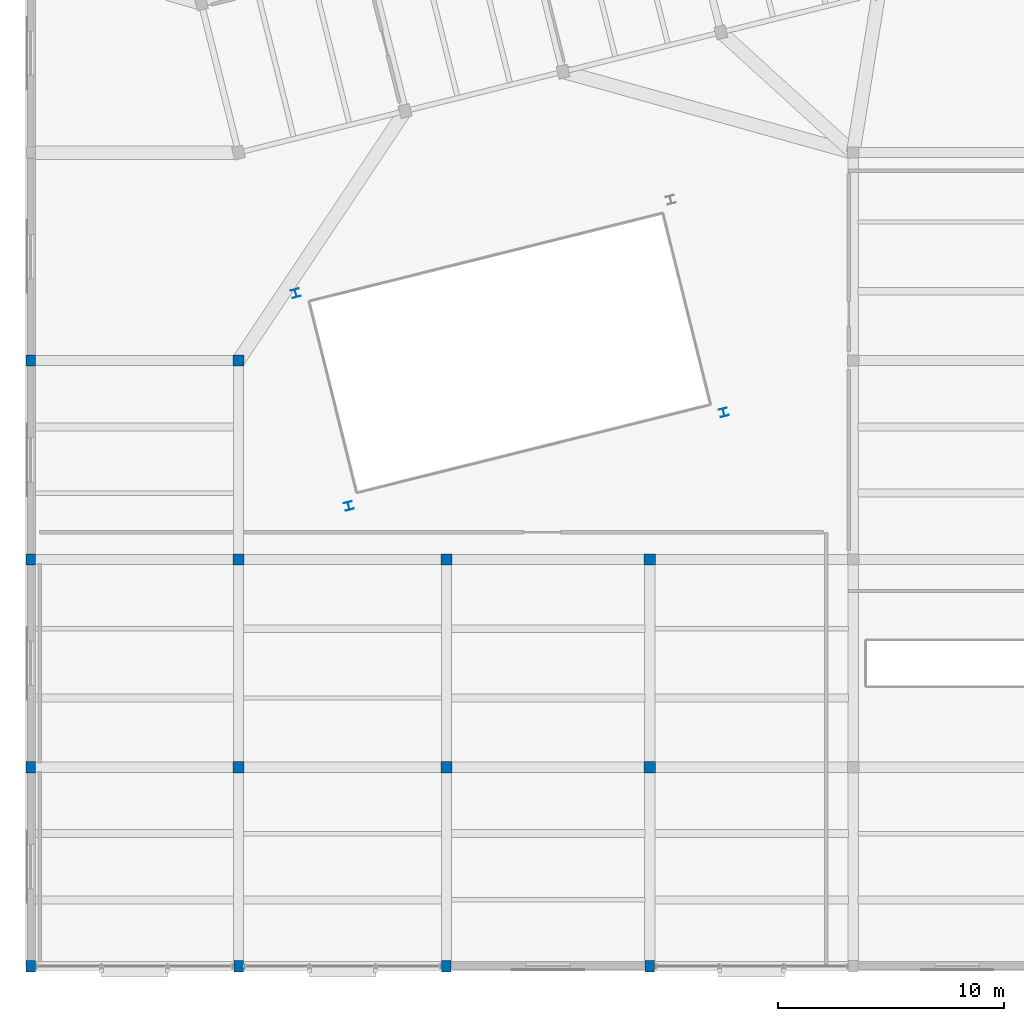
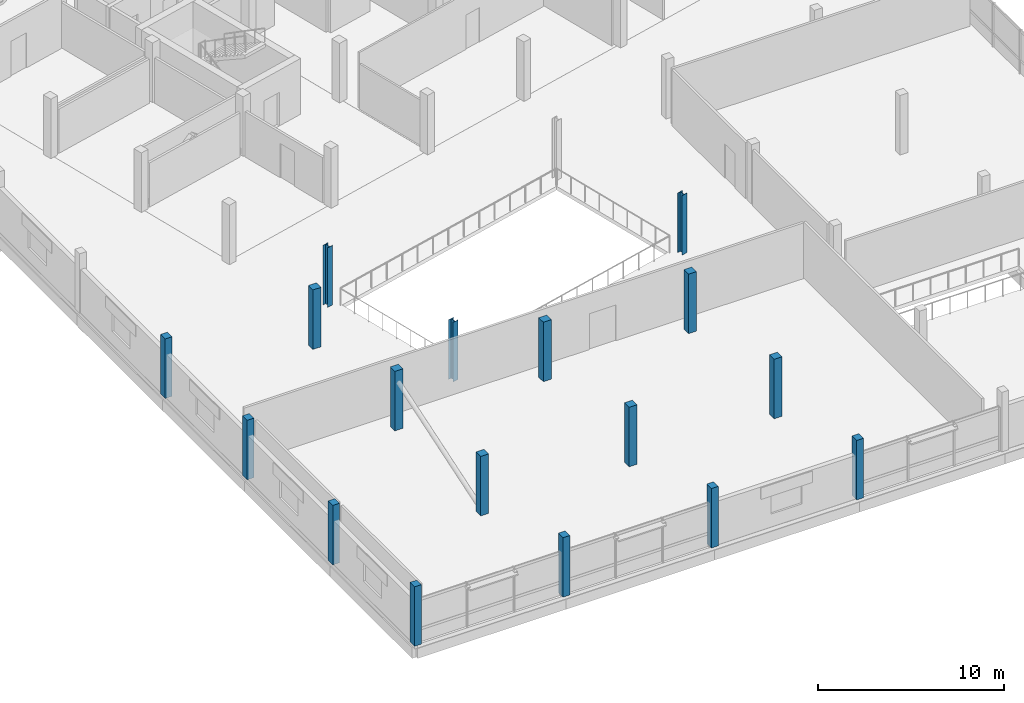
# One storey, part 1 of 62: 17 columns.
"""IFC4 building model written with IfcOpenShell, lengths in metres."""

from ifc_helpers import new_model, si_unit, direction, frame, origin, origin_2d, place, context, subcontext, project, spatial, rectangle, i_section, extrude, material, material_profile, profile_set, type_object, element, save


model = new_model("IFC4")

# Units and contexts
model_context = context("Model", 3, precision=1e-05, world=origin(), true_north=direction((0.0, 1.0)))
body_context = subcontext(model_context, "Body", "Model", "MODEL_VIEW")
ifc_project = project(units=[si_unit("LENGTHUNIT", "METRE"), si_unit("AREAUNIT", "SQUARE_METRE"), si_unit("VOLUMEUNIT", "CUBIC_METRE"), si_unit("PLANEANGLEUNIT", "RADIAN"), si_unit("MASSUNIT", "GRAM", prefix="KILO")], contexts=[model_context])

# Site, building, storey
site_placement = place(None, origin())
site = spatial("IfcSite", under=ifc_project, at=site_placement, CompositionType="ELEMENT")
building_placement = place(site_placement, origin())
building = spatial("IfcBuilding", under=site, at=building_placement, Name="Meriwether Solvik Hall", CompositionType="ELEMENT")
storey_placement = place(building_placement, frame((0.0, 0.0, 14.39990234375)))
storey = spatial("IfcBuildingStorey", under=building, at=storey_placement, Name="L03", CompositionType="ELEMENT", Elevation=14.39990234375)

# Columns
ifc_material_1 = material(Name="Glulam Douglas-Fir L2 GL28c", Category="wood")
ifc_material_profile_1 = material_profile(ifc_material_1, rectangle(XDim=0.419921875, YDim=0.4951171875, at=origin_2d()), Name="GLC-420X495")
ifc_profile_set_1 = profile_set([ifc_material_profile_1], Name="Glulam Douglas-Fir L2 GL28c")
column_type_1 = type_object("IfcColumnType", Name="COL-GL-420X495", PredefinedType="COLUMN", material=ifc_profile_set_1)
for number, where, z_axis, x_axis, name in (
    (1, (59.39990234375, 5.199951171875, 0.0), (0.0, 0.0, 1.0), (1.0, 0.0, 0.0), "Podium Column 7/A (L03)"),
    (2, (59.39990234375, 14.0, 0.0), (0.0, 0.0, 1.0), (1.0, 0.0, 0.0), "Podium Column 7/B (L03)"),
    (3, (59.39990234375, 23.199951171875, 0.0), (0.0, 0.0, 1.0), (1.0, 0.0, 0.0), "Podium Column 7/C (L03)"),
    (4, (59.39990234375, 32.0, 0.0), (0.0, 0.0, 1.0), (1.0, 0.0, 0.0), "Podium Column 7/D (L03)"),
    (5, (68.60009765625, 5.199951171875, 0.0), (0.0, 0.0, 1.0), (1.0, 0.0, 0.0), "Podium Column 8/A (L03)"),
    (6, (77.800048828125, 5.199951171875, 0.0), (0.0, 0.0, 1.0), (1.0, 0.0, 0.0), "Podium Column 9/A (L03)"),
    (7, (86.800048828125, 5.199951171875, 0.0), (0.0, 0.0, 1.0), (1.0, 0.0, 0.0), "Podium Column 10/A (L03)"),
):
    element("IfcColumn", number, at=place(storey_placement, frame(where, z_axis=z_axis, x_axis=x_axis)), inside=storey, type_object=column_type_1, Name=name, PredefinedType="COLUMN", context=body_context, shape_type="SweptSolid", body=[
        extrude(rectangle(XDim=0.419921875, YDim=0.4951171875, at=origin_2d()), origin(), (0.0, 0.0, 1.0), 3.900146484375),
    ])
ifc_material_2 = material(Name="Glulam Douglas-Fir L2 GL28c", Category="wood")
ifc_material_profile_2 = material_profile(ifc_material_2, rectangle(XDim=0.4951171875, YDim=0.4951171875, at=origin_2d()), Name="GLC-495X495")
ifc_profile_set_2 = profile_set([ifc_material_profile_2], Name="Glulam Douglas-Fir L2 GL28c")
column_type_2 = type_object("IfcColumnType", Name="COL-GL-495X495", PredefinedType="COLUMN", material=ifc_profile_set_2)
for number, where, z_axis, x_axis, name in (
    (8, (68.60009765625, 14.0, 0.0), (0.0, 0.0, 1.0), (1.0, 0.0, 0.0), "Podium Column 8/B (L03)"),
    (9, (68.60009765625, 23.199951171875, 0.0), (0.0, 0.0, 1.0), (1.0, 0.0, 0.0), "Podium Column 8/C (L03)"),
    (10, (68.60009765625, 32.0, 0.0), (0.0, 0.0, 1.0), (1.0, 0.0, 0.0), "Podium Column 8/D (L03)"),
    (11, (77.800048828125, 14.0, 0.0), (0.0, 0.0, 1.0), (1.0, 0.0, 0.0), "Podium Column 9/B (L03)"),
    (12, (77.800048828125, 23.199951171875, 0.0), (0.0, 0.0, 1.0), (1.0, 0.0, 0.0), "Podium Column 9/C (L03)"),
    (13, (86.800048828125, 14.0, 0.0), (0.0, 0.0, 1.0), (1.0, 0.0, 0.0), "Podium Column 10/B (L03)"),
    (14, (86.800048828125, 23.199951171875, 0.0), (0.0, 0.0, 1.0), (1.0, 0.0, 0.0), "Podium Column 10/C (L03)"),
):
    element("IfcColumn", number, at=place(storey_placement, frame(where, z_axis=z_axis, x_axis=x_axis)), inside=storey, type_object=column_type_2, Name=name, PredefinedType="COLUMN", context=body_context, shape_type="SweptSolid", body=[
        extrude(rectangle(XDim=0.4951171875, YDim=0.4951171875, at=origin_2d()), origin(), (0.0, 0.0, 1.0), 3.900146484375),
    ])
ifc_material_3 = material(Name="Steel A992 Grade 50", Category="steel")
ifc_material_profile_3 = material_profile(ifc_material_3, i_section(OverallWidth=0.368896484375, OverallDepth=0.35595703125, WebThickness=0.01123046875, FlangeThickness=0.01806640625, at=origin_2d()), Name="W14X90")
ifc_profile_set_3 = profile_set([ifc_material_profile_3], Name="Steel A992 Grade 50")
column_type_3 = type_object("IfcColumnType", Name="COL-STL-W14X90", PredefinedType="COLUMN", material=ifc_profile_set_3)
for number, where, z_axis, x_axis, name in (
    (15, (73.477294921875, 25.5654296875, 0.0), (0.0, 0.0, 1.0), (0.970295726276, 0.2419218956, 0.0), "Atrium Cleft Corner Column SW (L03)"),
    (16, (90.0693359375, 29.702392578125, 0.0), (0.0, 0.0, 1.0), (0.970295726276, 0.2419218956, 0.0), "Atrium Cleft Corner Column SE (L03)"),
    (17, (71.130615234375, 34.977294921875, 0.0), (0.0, 0.0, 1.0), (0.970295726276, 0.2419218956, 0.0), "Atrium Cleft Corner Column NW (L03)"),
):
    element("IfcColumn", number, at=place(storey_placement, frame(where, z_axis=z_axis, x_axis=x_axis)), inside=storey, type_object=column_type_3, Name=name, PredefinedType="COLUMN", context=body_context, shape_type="SweptSolid", body=[
        extrude(i_section(OverallWidth=0.368896484375, OverallDepth=0.35595703125, WebThickness=0.01123046875, FlangeThickness=0.01806640625, at=origin_2d()), origin(), (0.0, 0.0, 1.0), 3.900146484375),
    ])

save(model, "model.ifc")
